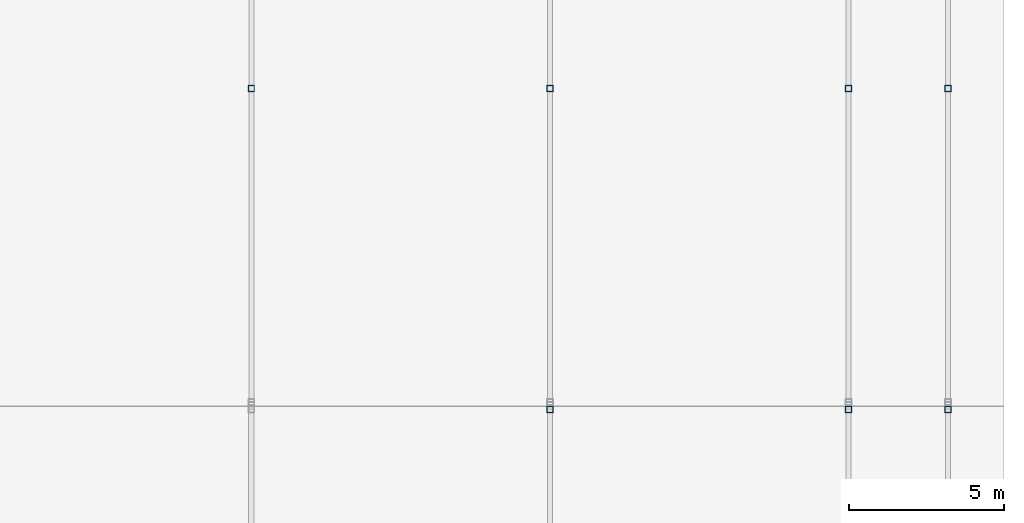
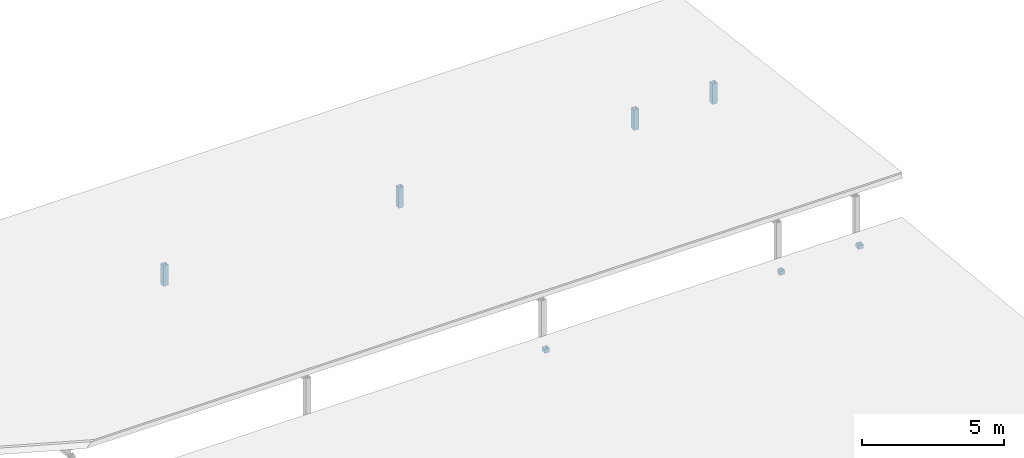
# One storey, part 8 of 11: 7 members.
"""IFC4 building model written with IfcOpenShell, lengths in metres."""

from ifc_helpers import new_model, si_unit, direction, frame, origin, origin_2d, place, context, subcontext, project, spatial, hollow_rectangle, extrude, material, material_profile, profile_set, type_object, element, save


model = new_model("IFC4")

# Units and contexts
model_context = context("Model", 3, precision=1e-05, world=origin(), true_north=direction((0.0, 1.0)))
body_context = subcontext(model_context, "Body", "Model", "MODEL_VIEW")
ifc_project = project(units=[si_unit("LENGTHUNIT", "METRE"), si_unit("AREAUNIT", "SQUARE_METRE"), si_unit("VOLUMEUNIT", "CUBIC_METRE"), si_unit("PLANEANGLEUNIT", "RADIAN"), si_unit("MASSUNIT", "GRAM", prefix="KILO")], contexts=[model_context])

# Site, building, storey
site_placement = place(None, origin())
site = spatial("IfcSite", under=ifc_project, at=site_placement, CompositionType="ELEMENT")
building_placement = place(site_placement, origin())
building = spatial("IfcBuilding", under=site, at=building_placement, Name="Vondelvale Polytechnic", CompositionType="ELEMENT")
storey_placement = place(building_placement, frame((0.0, 0.0, 34.800048828125)))
storey = spatial("IfcBuildingStorey", under=building, at=storey_placement, Name="Roof", CompositionType="ELEMENT", Elevation=34.800048828125)

# Members
ifc_material = material(Name="Steel C350L0 (fy = 350 MPa)", Category="steel")
ifc_material_profile = material_profile(ifc_material, hollow_rectangle(XDim=0.199951171875, YDim=0.199951171875, WallThickness=0.009033203125, at=origin_2d()), Name="200x200x9.0SHS")
ifc_profile_set = profile_set([ifc_material_profile], Name="Steel C350L0 (fy = 350 MPa)")
member_type = type_object("IfcMemberType", Name="ROOF TRUSS POST 200SHS", PredefinedType="POST", material=ifc_profile_set)
for number, where, z_axis, x_axis, name in (
    (1, (28.800048828125, 20.280029296875, 0.0), (0.0, 0.0, 1.0), (1.0, 0.0, 0.0), "Corner wing roof post 1"),
    (2, (38.39990234375, 20.280029296875, 0.0), (0.0, 0.0, 1.0), (1.0, 0.0, 0.0), "Corner wing roof post 1"),
    (3, (41.60009765625, 20.280029296875, 0.0), (0.0, 0.0, 1.0), (1.0, 0.0, 0.0), "Corner wing roof post 1"),
):
    element("IfcMember", number, at=place(storey_placement, frame(where, z_axis=z_axis, x_axis=x_axis)), inside=storey, type_object=member_type, Name=name, PredefinedType="POST", context=body_context, shape_type="SweptSolid", body=[
        extrude(hollow_rectangle(XDim=0.199951171875, YDim=0.199951171875, WallThickness=0.009033203125, at=origin_2d()), origin(), (0.0, 0.0, 1.0), 0.17578125),
    ])
for number, where, z_axis, x_axis, name in (
    (4, (19.199951171875, 30.60009765625, 0.0), (0.0, 0.0, 1.0), (1.0, 0.0, 0.0), "Corner wing roof post 2"),
    (5, (28.800048828125, 30.60009765625, 0.0), (0.0, 0.0, 1.0), (1.0, 0.0, 0.0), "Corner wing roof post 2"),
    (6, (38.39990234375, 30.60009765625, 0.0), (0.0, 0.0, 1.0), (1.0, 0.0, 0.0), "Corner wing roof post 2"),
    (7, (41.60009765625, 30.60009765625, 0.0), (0.0, 0.0, 1.0), (1.0, 0.0, 0.0), "Corner wing roof post 2"),
):
    element("IfcMember", number, at=place(storey_placement, frame(where, z_axis=z_axis, x_axis=x_axis)), inside=storey, type_object=member_type, Name=name, PredefinedType="POST", context=body_context, shape_type="SweptSolid", body=[
        extrude(hollow_rectangle(XDim=0.199951171875, YDim=0.199951171875, WallThickness=0.009033203125, at=origin_2d()), origin(), (0.0, 0.0, 1.0), 0.8798828125),
    ])

save(model, "model.ifc")
